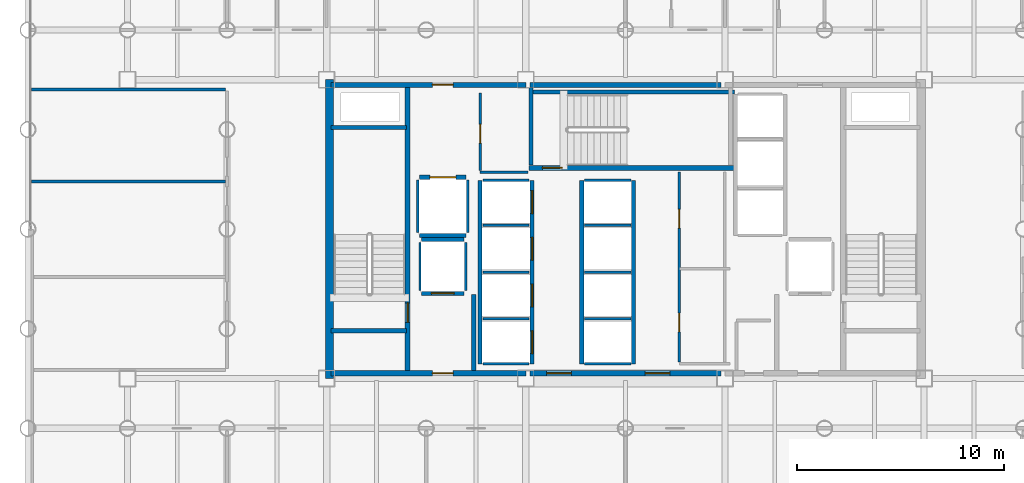
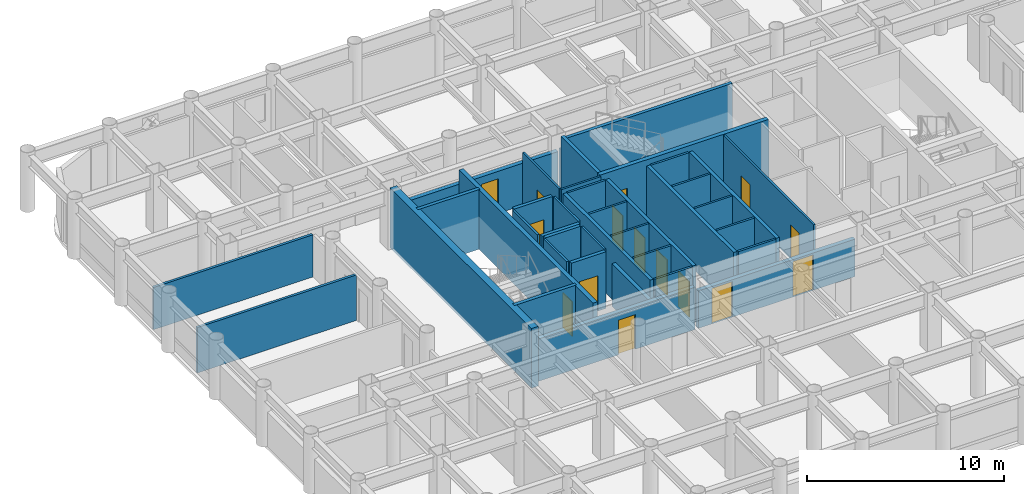
# One storey, part 15 of 19: 39 walls, 15 doors, 15 openings.
"""IFC4 building model written with IfcOpenShell, lengths in metres."""

import ifcopenshell
import ifcopenshell.guid

model = None  # the IFC model being written
_history = None  # IfcOwnerHistory: only IFC2X3 demands one
_inside = {}  # id of a spatial element -> (the spatial element, [elements in it])
_under = {}  # id of a project, library or spatial element -> (it, [spatial elements below it])
_declared = {}  # id of a project -> (the project, [libraries it declares])
_typed = {}  # id of a type object -> (the type object, [elements of that type])
_made_of = {}  # id of a material, layer set ... -> (it, [elements and type objects made of it])


def new_model(schema):
    """Start an empty IFC model of exactly this schema.

    Asked for "IFC4X3", IfcOpenShell would pick the latest addendum, in which some entities
    have other attributes; the version numbers below select the first issue.
    IFC2X3 requires an IfcOwnerHistory on every rooted entity: one is made here for all.
    """
    global model, _history
    if schema == "IFC4X3":
        model = ifcopenshell.file(schema_version=(4, 3, 0, 0))
    else:
        model = ifcopenshell.file(schema=schema)
    _inside.clear()
    _under.clear()
    _declared.clear()
    _typed.clear()
    _made_of.clear()
    _history = None
    if model.schema == "IFC2X3":
        org = make("IfcOrganization", Name="unknown")
        user = make(
            "IfcPersonAndOrganization",
            ThePerson=make("IfcPerson", FamilyName="unknown"),
            TheOrganization=org,
        )
        app = make(
            "IfcApplication",
            ApplicationDeveloper=org,
            Version="unknown",
            ApplicationFullName="unknown",
            ApplicationIdentifier="unknown",
        )
        _history = make(
            "IfcOwnerHistory",
            OwningUser=user,
            OwningApplication=app,
            ChangeAction="ADDED",
            CreationDate=0,
        )
    return model


def make(cls, **values):
    """One entity of the class cls with the attributes given. An attribute that is None is left unset."""
    return model.create_entity(
        cls, **{name: value for name, value in values.items() if value is not None}
    )


def rooted(cls, **values):
    """An entity with a GlobalId (a new one), such as an element, a storey or a relation."""
    return make(cls, GlobalId=ifcopenshell.guid.new(), OwnerHistory=_history, **values)


def si_unit(unit_type, name, prefix=None):
    """IfcSIUnit, for example si_unit("LENGTHUNIT", "METRE", prefix="MILLI")."""
    return make("IfcSIUnit", UnitType=unit_type, Prefix=prefix, Name=name)


def assignment(units):
    """IfcUnitAssignment: the units of a project."""
    return None if units is None else make("IfcUnitAssignment", Units=units)


def point(xyz):
    """IfcCartesianPoint."""
    return None if xyz is None else make("IfcCartesianPoint", Coordinates=xyz)


def direction(xyz):
    """IfcDirection."""
    return None if xyz is None else make("IfcDirection", DirectionRatios=xyz)


def frame(location, z_axis=None, x_axis=None):
    """IfcAxis2Placement3D, a coordinate frame: its origin and axes. An axis left out is left unset."""
    return make(
        "IfcAxis2Placement3D",
        Location=point(location),
        Axis=direction(z_axis),
        RefDirection=direction(x_axis),
    )


def frame_2d(location, x_axis=None):
    """IfcAxis2Placement2D, a coordinate frame in the plane: its origin and x axis."""
    return make(
        "IfcAxis2Placement2D", Location=point(location), RefDirection=direction(x_axis)
    )


def origin():
    """The frame at (0, 0, 0) with its axes left unset."""
    return frame((0.0, 0.0, 0.0))


def place(relative_to, where):
    """IfcLocalPlacement: puts the frame where relative to a parent placement (None: the world)."""
    return make(
        "IfcLocalPlacement", PlacementRelTo=relative_to, RelativePlacement=where
    )


def context(
    kind, dimensions, precision=None, world=None, true_north=None, identifier=None
):
    """IfcGeometricRepresentationContext, for example the 3D "Model" context."""
    return make(
        "IfcGeometricRepresentationContext",
        ContextIdentifier=identifier,
        ContextType=kind,
        CoordinateSpaceDimension=dimensions,
        Precision=precision,
        WorldCoordinateSystem=world,
        TrueNorth=true_north,
    )


def subcontext(parent, identifier, kind, view, scale=None):
    """IfcGeometricRepresentationSubContext, for example "Body" below "Model"."""
    return make(
        "IfcGeometricRepresentationSubContext",
        ContextIdentifier=identifier,
        ContextType=kind,
        ParentContext=parent,
        TargetScale=scale,
        TargetView=view,
    )


def project(units=None, contexts=None):
    """IfcProject with its units and contexts."""
    return rooted(
        "IfcProject",
        Name="project",
        RepresentationContexts=contexts,
        UnitsInContext=assignment(units),
    )


def spatial(cls, under=None, at=None, **own):
    """A site, building, storey or space (cls), placed at a placement, below another one or the project."""
    s = rooted(cls, ObjectPlacement=at, **own)
    if under is not None:
        _under.setdefault(under.id(), (under, []))[1].append(s)
    return s


def profile(cls, at=None, kind="AREA", **sizes):
    """A parametric profile (cls). Its sizes go by their IFC names, for example OverallWidth=200.0."""
    return make(cls, ProfileType=kind, Position=at, **sizes)


def rectangle(**sizes):
    """IfcRectangleProfileDef."""
    return profile("IfcRectangleProfileDef", **sizes)


def extrude(swept, where, along, depth):
    """IfcExtrudedAreaSolid: the profile swept, set in the frame where, extruded along a direction by depth."""
    return make(
        "IfcExtrudedAreaSolid",
        SweptArea=swept,
        Position=where,
        ExtrudedDirection=direction(along),
        Depth=depth,
    )


def shape(context_of_items, identifier, shape_type, items):
    """IfcShapeRepresentation: the items that make up one representation, for example the "Body"."""
    return make(
        "IfcShapeRepresentation",
        ContextOfItems=context_of_items,
        RepresentationIdentifier=identifier,
        RepresentationType=shape_type,
        Items=items,
    )


def material(Name=None, Category=None):
    """IfcMaterial."""
    return make("IfcMaterial", Name=Name, Category=Category)


def layer(
    of_material, thickness, ventilated=None, Name=None, Category=None, Priority=None
):
    """IfcMaterialLayer: one layer of a wall or slab, of a material (None: an air gap)."""
    return make(
        "IfcMaterialLayer",
        Material=of_material,
        LayerThickness=thickness,
        IsVentilated=ventilated,
        Name=Name,
        Category=Category,
        Priority=Priority,
    )


def layer_set(layers, Name=None):
    """IfcMaterialLayerSet."""
    return make("IfcMaterialLayerSet", MaterialLayers=layers, LayerSetName=Name)


def made_of(thing, what):
    """Note that an element or type object is made of a material, layer set ...; save() writes the relation."""
    if what is not None:
        _made_of.setdefault(what.id(), (what, []))[1].append(thing)
    return thing


def type_object(cls, material=None, **own):
    """A type object (cls), such as IfcWallType, which elements share."""
    return made_of(rooted(cls, **own), material)


def element(
    cls,
    number,
    at=None,
    inside=None,
    cuts=None,
    type_object=None,
    material=None,
    context=None,
    identifier="Body",
    shape_type=None,
    held_by="IfcProductDefinitionShape",
    body=None,
    shapes=None,
    **own,
):
    """One element of the class cls, such as IfcWall. Its Tag is "e" and its number.

    at: its placement. inside: the storey or other place that contains it. cuts: it is an
    opening in that element (IfcRelVoidsElement). A single representation is given by context,
    identifier, shape_type and body (its items); several are given by shapes. held_by: the class
    of the entity that holds the representations. save() writes the other relations.
    """
    e = rooted(cls, Tag="e%d" % number, ObjectPlacement=at, **own)
    if body is not None:
        shapes = [shape(context, identifier, shape_type, body)]
    if shapes is not None:
        e.Representation = make(held_by, Representations=shapes)
    if inside is not None:
        _inside.setdefault(inside.id(), (inside, []))[1].append(e)
    if cuts is not None:
        rooted(
            "IfcRelVoidsElement", RelatingBuildingElement=cuts, RelatedOpeningElement=e
        )
    if type_object is not None:
        _typed.setdefault(type_object.id(), (type_object, []))[1].append(e)
    return made_of(e, material)


def fill(opening, filler):
    """IfcRelFillsElement: the door or window that sits in an opening."""
    return rooted(
        "IfcRelFillsElement",
        RelatingOpeningElement=opening,
        RelatedBuildingElement=filler,
    )


def aggregate(whole, parts):
    """IfcRelAggregates: a whole, such as a stair, and the parts it consists of."""
    return rooted("IfcRelAggregates", RelatingObject=whole, RelatedObjects=parts)


def save(model, path):
    """Write the relations noted so far, then the file.

    IfcRelAggregates (storeys below a building ...), IfcRelContainedInSpatialStructure (elements
    in a storey), IfcRelDefinesByType, IfcRelAssociatesMaterial and IfcRelDeclares: one each for
    every whole, place, type object, material and project.
    """
    for whole, parts in _under.values():
        aggregate(whole, parts)
    for where, things in _inside.values():
        rooted(
            "IfcRelContainedInSpatialStructure",
            RelatedElements=things,
            RelatingStructure=where,
        )
    for kind, things in _typed.values():
        rooted("IfcRelDefinesByType", RelatedObjects=things, RelatingType=kind)
    for what, things in _made_of.values():
        rooted("IfcRelAssociatesMaterial", RelatedObjects=things, RelatingMaterial=what)
    for by, libraries in _declared.values():
        rooted("IfcRelDeclares", RelatingContext=by, RelatedDefinitions=libraries)
    model.write(path)


model = new_model("IFC4")

# Units and contexts
model_context = context("Model", 3, precision=1e-05, world=origin(), true_north=direction((0.0, 1.0)))
body_context = subcontext(model_context, "Body", "Model", "MODEL_VIEW")
ifc_project = project(units=[si_unit("LENGTHUNIT", "METRE"), si_unit("AREAUNIT", "SQUARE_METRE"), si_unit("VOLUMEUNIT", "CUBIC_METRE"), si_unit("PLANEANGLEUNIT", "RADIAN"), si_unit("MASSUNIT", "GRAM", prefix="KILO")], contexts=[model_context])

# Site, building, storey
site_placement = place(None, origin())
site = spatial("IfcSite", under=ifc_project, at=site_placement, CompositionType="ELEMENT")
building_placement = place(site_placement, origin())
building = spatial("IfcBuilding", under=site, at=building_placement, Name="Kallvorn Hotel Tower", CompositionType="ELEMENT")
storey_placement = place(building_placement, frame((0.0, 0.0, 67.0)))
storey = spatial("IfcBuildingStorey", under=building, at=storey_placement, Name="L15", CompositionType="ELEMENT", Elevation=67.0)

# Walls
ifc_material_1 = material(Name="Concrete C50/60", Category="concrete")
ifc_layer_1 = layer(ifc_material_1, 0.39990234375)
ifc_layer_set_1 = layer_set([ifc_layer_1], Name="WL_CORE_400")
wall_type_1 = type_object("IfcWallType", Name="WL_CORE_400", PredefinedType="SHEAR", material=ifc_layer_set_1)
wall_1_placement = place(storey_placement, frame((-14.264892578125, -7.199951171875, -0.179931640625), z_axis=(0.0, 0.0, 1.0), x_axis=(0.0, 1.0, 0.0)))
element("IfcWall", 1, at=wall_1_placement, inside=storey, type_object=wall_type_1, Name="L15 Core West Shear Wall", PredefinedType="SHEAR", context=body_context, shape_type="SweptSolid", body=[
    extrude(rectangle(XDim=14.39990234375, YDim=0.39990234375, at=frame_2d((7.199951171875, 0.0))), origin(), (0.0, 0.0, 1.0), 3.699951171875),
])
ifc_material_2 = material(Name="Concrete C40/50", Category="concrete")
ifc_layer_2 = layer(ifc_material_2, 0.219970703125)
ifc_layer_set_2 = layer_set([ifc_layer_2], Name="WL_FFL_220")
wall_type_2 = type_object("IfcWallType", Name="WL_FFL_220", PredefinedType="SOLIDWALL", material=ifc_layer_set_2)
wall_2_placement = place(storey_placement, frame((-7.300048828125, -6.820068359375, 0.0), z_axis=(0.0, 0.0, 1.0), x_axis=(0.0, 1.0, 0.0)))
element("IfcWall", 2, at=wall_2_placement, inside=storey, type_object=wall_type_2, Name="L15 Firefighting Lobby West Divider Wall", PredefinedType="SOLIDWALL", context=body_context, shape_type="SweptSolid", body=[
    extrude(rectangle(XDim=3.670166015625, YDim=0.219970703125, at=frame_2d((1.8349609375, 0.0))), origin(), (0.0, 0.0, 1.0), 2.6201171875),
])
ifc_material_3 = material(Name="Concrete C40/50", Category="concrete")
ifc_layer_3 = layer(ifc_material_3, 0.199951171875)
ifc_layer_set_3 = layer_set([ifc_layer_3], Name="WL_HOIST_200")
wall_type_3 = type_object("IfcWallType", Name="WL_HOIST_200", PredefinedType="SOLIDWALL", material=ifc_layer_set_3)
for number, where, z_axis, x_axis, name in (
    (3, (-14.199951171875, -4.89990234375, -0.179931640625), (0.0, 0.0, 1.0), (1.0, 0.0, 0.0), "L15 Stair ST1 South Wall"),
    (4, (-14.199951171875, 4.89990234375, -0.179931640625), (0.0, 0.0, 1.0), (1.0, 0.0, 0.0), "L15 Stair ST1 North Wall"),
):
    element("IfcWall", number, at=place(storey_placement, frame(where, z_axis=z_axis, x_axis=x_axis)), inside=storey, type_object=wall_type_3, Name=name, PredefinedType="SOLIDWALL", context=body_context, shape_type="SweptSolid", body=[
        extrude(rectangle(XDim=3.64990234375, YDim=0.199951171875, at=frame_2d((1.824951171875, 0.0))), origin(), (0.0, 0.0, 1.0), 3.699951171875),
    ])
wall_3_placement = place(storey_placement, frame((-4.64990234375, 6.610107421875, -0.179931640625), z_axis=(0.0, 0.0, 1.0), x_axis=(1.0, 0.0, 0.0)))
element("IfcWall", 5, at=wall_3_placement, inside=storey, type_object=wall_type_3, Name="L15 Stair ST3 Shaft North Wall", PredefinedType="SOLIDWALL", context=body_context, shape_type="SweptSolid", body=[
    extrude(rectangle(XDim=9.89990234375, YDim=0.199951171875, at=frame_2d((4.949951171875, 0.0))), origin(), (0.0, 0.0, 1.0), 3.699951171875),
])
wall_4_placement = place(storey_placement, frame((-4.550048828125, 3.080078125, -0.179931640625), z_axis=(0.0, 0.0, 1.0), x_axis=(0.0, 1.0, 0.0)))
element("IfcWall", 6, at=wall_4_placement, inside=storey, type_object=wall_type_3, Name="L15 Stair ST3 West Wall", PredefinedType="SOLIDWALL", context=body_context, shape_type="SweptSolid", body=[
    extrude(rectangle(XDim=3.739990234375, YDim=0.199951171875, at=frame_2d((1.8701171875, 0.0))), origin(), (0.0, 0.0, 1.0), 3.699951171875),
])

# Wall, openings, doors
wall_5_placement = place(storey_placement, frame((-4.5, -6.5, 0.0), z_axis=(0.0, 0.0, 1.0), x_axis=(0.0, 1.0, 0.0)))
wall_5 = element("IfcWall", 7, at=wall_5_placement, inside=storey, type_object=wall_type_3, Name="L15 Lift Bank B1 Landing Wall", PredefinedType="SOLIDWALL", context=body_context, shape_type="SweptSolid", body=[
    extrude(rectangle(XDim=8.85009765625, YDim=0.199951171875, at=frame_2d((4.425048828125, 0.0))), origin(), (0.0, 0.0, 1.0), 3.52001953125),
])
opening_1_placement = place(wall_5_placement, frame((0.5, 0.0, 0.0)))
opening_1 = element("IfcOpeningElement", 8, at=opening_1_placement, cuts=wall_5, Name="Opening LD-PL-01", PredefinedType="OPENING", context=body_context, shape_type="SweptSolid", body=[
    extrude(rectangle(XDim=1.10009765625, YDim=2.199951171875, at=frame_2d((0.550048828125, 1.10009765625))), frame((0.0, 0.114990234375, 0.0), z_axis=(0.0, -1.0, 0.0), x_axis=(1.0, 0.0, 0.0)), (0.0, 0.0, 1.0), 0.22998046875),
])
opening_2_placement = place(wall_5_placement, frame((2.75, 0.0, 0.0)))
opening_2 = element("IfcOpeningElement", 9, at=opening_2_placement, cuts=wall_5, Name="Opening LD-PL-02", PredefinedType="OPENING", context=body_context, shape_type="SweptSolid", body=[
    extrude(rectangle(XDim=1.10009765625, YDim=2.199951171875, at=frame_2d((0.550048828125, 1.10009765625))), frame((0.0, 0.114990234375, 0.0), z_axis=(0.0, -1.0, 0.0), x_axis=(1.0, 0.0, 0.0)), (0.0, 0.0, 1.0), 0.22998046875),
])
opening_3_placement = place(wall_5_placement, frame((5.0, 0.0, 0.0)))
opening_3 = element("IfcOpeningElement", 10, at=opening_3_placement, cuts=wall_5, Name="Opening LD-PL-03", PredefinedType="OPENING", context=body_context, shape_type="SweptSolid", body=[
    extrude(rectangle(XDim=1.10009765625, YDim=2.199951171875, at=frame_2d((0.550048828125, 1.10009765625))), frame((0.0, 0.114990234375, 0.0), z_axis=(0.0, -1.0, 0.0), x_axis=(1.0, 0.0, 0.0)), (0.0, 0.0, 1.0), 0.22998046875),
])
opening_4_placement = place(wall_5_placement, frame((7.25, 0.0, 0.0)))
opening_4 = element("IfcOpeningElement", 11, at=opening_4_placement, cuts=wall_5, Name="Opening LD-PL-04", PredefinedType="OPENING", context=body_context, shape_type="SweptSolid", body=[
    extrude(rectangle(XDim=1.10009765625, YDim=2.199951171875, at=frame_2d((0.550048828125, 1.10009765625))), frame((0.0, 0.114990234375, 0.0), z_axis=(0.0, -1.0, 0.0), x_axis=(1.0, 0.0, 0.0)), (0.0, 0.0, 1.0), 0.22998046875),
])
ifc_material_4 = material(Name="Brushed stainless-steel automatic sliding lift landing door", Category="steel")
door_type_1 = type_object("IfcDoorType", Name="LD_PASS_1100x2200", OperationType="SLIDING_TO_LEFT", PredefinedType="DOOR", material=ifc_material_4)
door_1_placement = place(opening_1_placement, origin())
door_1 = element("IfcDoor", 12, at=door_1_placement, inside=storey, type_object=door_type_1, Name="L15 Lift Landing Sliding Door LD-PL-01", OperationType="SLIDING_TO_LEFT", OverallHeight=2.199951171875, OverallWidth=1.10009765625, PredefinedType="DOOR", context=body_context, shape_type="SweptSolid", body=[
    extrude(rectangle(XDim=1.10009765625, YDim=2.199951171875, at=frame_2d((0.550048828125, 1.10009765625))), frame((0.0, 0.02490234375, 0.0), z_axis=(0.0, -1.0, 0.0), x_axis=(1.0, 0.0, 0.0)), (0.0, 0.0, 1.0), 0.050048828125),
])
fill(opening_1, door_1)
door_2_placement = place(opening_2_placement, origin())
door_2 = element("IfcDoor", 13, at=door_2_placement, inside=storey, type_object=door_type_1, Name="L15 Lift Landing Sliding Door LD-PL-02", OperationType="SLIDING_TO_LEFT", OverallHeight=2.199951171875, OverallWidth=1.10009765625, PredefinedType="DOOR", context=body_context, shape_type="SweptSolid", body=[
    extrude(rectangle(XDim=1.10009765625, YDim=2.199951171875, at=frame_2d((0.550048828125, 1.10009765625))), frame((0.0, 0.02490234375, 0.0), z_axis=(0.0, -1.0, 0.0), x_axis=(1.0, 0.0, 0.0)), (0.0, 0.0, 1.0), 0.050048828125),
])
fill(opening_2, door_2)
door_3_placement = place(opening_3_placement, origin())
door_3 = element("IfcDoor", 14, at=door_3_placement, inside=storey, type_object=door_type_1, Name="L15 Lift Landing Sliding Door LD-PL-03", OperationType="SLIDING_TO_LEFT", OverallHeight=2.199951171875, OverallWidth=1.10009765625, PredefinedType="DOOR", context=body_context, shape_type="SweptSolid", body=[
    extrude(rectangle(XDim=1.10009765625, YDim=2.199951171875, at=frame_2d((0.550048828125, 1.10009765625))), frame((0.0, 0.02490234375, 0.0), z_axis=(0.0, -1.0, 0.0), x_axis=(1.0, 0.0, 0.0)), (0.0, 0.0, 1.0), 0.050048828125),
])
fill(opening_3, door_3)
door_4_placement = place(opening_4_placement, origin())
door_4 = element("IfcDoor", 15, at=door_4_placement, inside=storey, type_object=door_type_1, Name="L15 Lift Landing Sliding Door LD-PL-04", OperationType="SLIDING_TO_LEFT", OverallHeight=2.199951171875, OverallWidth=1.10009765625, PredefinedType="DOOR", context=body_context, shape_type="SweptSolid", body=[
    extrude(rectangle(XDim=1.10009765625, YDim=2.199951171875, at=frame_2d((0.550048828125, 1.10009765625))), frame((0.0, 0.02490234375, 0.0), z_axis=(0.0, -1.0, 0.0), x_axis=(1.0, 0.0, 0.0)), (0.0, 0.0, 1.0), 0.050048828125),
])
fill(opening_4, door_4)

# Walls
for number, where, z_axis, x_axis, name in (
    (16, (-7.0, -6.5, 0.0), (0.0, 0.0, 1.0), (0.0, 1.0, 0.0), "L15 Lift Bank B1 Rear Shaft Wall"),
    (17, (-2.10009765625, -6.5, 0.0), (0.0, 0.0, 1.0), (0.0, 1.0, 0.0), "L15 Lift Bank B2 Landing Wall"),
    (18, (0.39990234375, -6.5, 0.0), (0.0, 0.0, 1.0), (0.0, 1.0, 0.0), "L15 Lift Bank B2 Rear Shaft Wall"),
):
    element("IfcWall", number, at=place(storey_placement, frame(where, z_axis=z_axis, x_axis=x_axis)), inside=storey, type_object=wall_type_3, Name=name, PredefinedType="SOLIDWALL", context=body_context, shape_type="SweptSolid", body=[
        extrude(rectangle(XDim=8.85009765625, YDim=0.199951171875, at=frame_2d((4.425048828125, 0.0))), origin(), (0.0, 0.0, 1.0), 3.52001953125),
    ])

# Wall, opening, door
wall_6_placement = place(storey_placement, frame((-9.820068359375, -3.10009765625, 0.0), z_axis=(0.0, 0.0, 1.0), x_axis=(1.0, 0.0, 0.0)))
wall_6 = element("IfcWall", 19, at=wall_6_placement, inside=storey, type_object=wall_type_3, Name="L15 FL-1 Landing Wall", PredefinedType="SOLIDWALL", context=body_context, shape_type="SweptSolid", body=[
    extrude(rectangle(XDim=2.0400390625, YDim=0.199951171875, at=frame_2d((1.02001953125, 0.0))), origin(), (0.0, 0.0, 1.0), 3.52001953125),
])
opening_5_placement = place(wall_6_placement, frame((0.469970703125, 0.0, 0.0)))
opening_5 = element("IfcOpeningElement", 20, at=opening_5_placement, cuts=wall_6, Name="Opening LD-FL-1", PredefinedType="OPENING", context=body_context, shape_type="SweptSolid", body=[
    extrude(rectangle(XDim=1.10009765625, YDim=2.199951171875, at=frame_2d((0.550048828125, 1.10009765625))), frame((0.0, 0.114990234375, 0.0), z_axis=(0.0, -1.0, 0.0), x_axis=(1.0, 0.0, 0.0)), (0.0, 0.0, 1.0), 0.22998046875),
])
door_5_placement = place(opening_5_placement, origin())
door_5 = element("IfcDoor", 21, at=door_5_placement, inside=storey, type_object=door_type_1, Name="L15 Lift Landing Sliding Door LD-FL-1", OperationType="SLIDING_TO_LEFT", OverallHeight=2.199951171875, OverallWidth=1.10009765625, PredefinedType="DOOR", context=body_context, shape_type="SweptSolid", body=[
    extrude(rectangle(XDim=1.10009765625, YDim=2.199951171875, at=frame_2d((0.550048828125, 1.10009765625))), frame((0.0, 0.02490234375, 0.0), z_axis=(0.0, -1.0, 0.0), x_axis=(1.0, 0.0, 0.0)), (0.0, 0.0, 1.0), 0.050048828125),
])
fill(opening_5, door_5)

# Wall
wall_7_placement = place(storey_placement, frame((-9.820068359375, -0.5, 0.0), z_axis=(0.0, 0.0, 1.0), x_axis=(1.0, 0.0, 0.0)))
element("IfcWall", 22, at=wall_7_placement, inside=storey, type_object=wall_type_3, Name="L15 FL-1 Rear Shaft Wall", PredefinedType="SOLIDWALL", context=body_context, shape_type="SweptSolid", body=[
    extrude(rectangle(XDim=2.0400390625, YDim=0.199951171875, at=frame_2d((1.02001953125, 0.0))), origin(), (0.0, 0.0, 1.0), 3.52001953125),
])

# Wall, opening, door
wall_8_placement = place(storey_placement, frame((-9.919921875, 2.5, 0.0), z_axis=(0.0, 0.0, 1.0), x_axis=(1.0, 0.0, 0.0)))
wall_8 = element("IfcWall", 23, at=wall_8_placement, inside=storey, type_object=wall_type_3, Name="L15 SV-01 Landing Wall", PredefinedType="SOLIDWALL", context=body_context, shape_type="SweptSolid", body=[
    extrude(rectangle(XDim=2.239990234375, YDim=0.199951171875, at=frame_2d((1.1201171875, 0.0))), origin(), (0.0, 0.0, 1.0), 3.52001953125),
])
opening_6_placement = place(wall_8_placement, frame((0.4951171875, 0.0, 0.0)))
opening_6 = element("IfcOpeningElement", 24, at=opening_6_placement, cuts=wall_8, Name="Opening LD-SV-01", PredefinedType="OPENING", context=body_context, shape_type="SweptSolid", body=[
    extrude(rectangle(XDim=1.25, YDim=2.25, at=frame_2d((0.625, 1.125))), frame((0.0, 0.114990234375, 0.0), z_axis=(0.0, -1.0, 0.0), x_axis=(1.0, 0.0, 0.0)), (0.0, 0.0, 1.0), 0.22998046875),
])
ifc_material_5 = material(Name="Brushed stainless-steel automatic sliding lift landing door", Category="steel")
door_type_2 = type_object("IfcDoorType", Name="LD_SERV_1250x2250", OperationType="SLIDING_TO_LEFT", PredefinedType="DOOR", material=ifc_material_5)
door_6_placement = place(opening_6_placement, origin())
door_6 = element("IfcDoor", 25, at=door_6_placement, inside=storey, type_object=door_type_2, Name="L15 Lift Landing Sliding Door LD-SV-01", OperationType="SLIDING_TO_LEFT", OverallHeight=2.25, OverallWidth=1.25, PredefinedType="DOOR", context=body_context, shape_type="SweptSolid", body=[
    extrude(rectangle(XDim=1.25, YDim=2.25, at=frame_2d((0.625, 1.125))), frame((0.0, 0.02490234375, 0.0), z_axis=(0.0, -1.0, 0.0), x_axis=(1.0, 0.0, 0.0)), (0.0, 0.0, 1.0), 0.050048828125),
])
fill(opening_6, door_6)

# Walls
wall_9_placement = place(storey_placement, frame((-9.919921875, -0.300048828125, 0.0), z_axis=(0.0, 0.0, 1.0), x_axis=(1.0, 0.0, 0.0)))
element("IfcWall", 26, at=wall_9_placement, inside=storey, type_object=wall_type_3, Name="L15 SV-01 Rear Shaft Wall", PredefinedType="SOLIDWALL", context=body_context, shape_type="SweptSolid", body=[
    extrude(rectangle(XDim=2.239990234375, YDim=0.199951171875, at=frame_2d((1.1201171875, 0.0))), origin(), (0.0, 0.0, 1.0), 3.52001953125),
])
ifc_material_6 = material(Name="Fire-rated double-layer acoustic gypsum drywall EI 60")
ifc_layer_4 = layer(ifc_material_6, 0.1201171875)
ifc_layer_set_4 = layer_set([ifc_layer_4], Name="WL_INT_120")
wall_type_4 = type_object("IfcWallType", Name="WL_INT_120", PredefinedType="PARTITIONING", material=ifc_layer_set_4)
for number, where, z_axis, x_axis, name in (
    (27, (-6.860107421875, -6.5, 0.0), (0.0, 0.0, 1.0), (1.0, 0.0, 0.0), "L15 Lift Bank B1 South Closure Wall"),
    (28, (-6.860107421875, -4.324951171875, 0.0), (0.0, 0.0, 1.0), (1.0, 0.0, 0.0), "L15 PL-01 Hoistway Divider"),
    (29, (-6.860107421875, -2.074951171875, 0.0), (0.0, 0.0, 1.0), (1.0, 0.0, 0.0), "L15 PL-02 Hoistway Divider"),
    (30, (-6.860107421875, 0.175048828125, 0.0), (0.0, 0.0, 1.0), (1.0, 0.0, 0.0), "L15 PL-03 Hoistway Divider"),
    (31, (-6.860107421875, 2.35009765625, 0.0), (0.0, 0.0, 1.0), (1.0, 0.0, 0.0), "L15 PL-04 Hoistway Divider"),
):
    element("IfcWall", number, at=place(storey_placement, frame(where, z_axis=z_axis, x_axis=x_axis)), inside=storey, type_object=wall_type_4, Name=name, PredefinedType="PARTITIONING", context=body_context, shape_type="SweptSolid", body=[
        extrude(rectangle(XDim=2.22021484375, YDim=0.1201171875, at=frame_2d((1.110107421875, 0.0))), origin(), (0.0, 0.0, 1.0), 3.52001953125),
    ])
for number, where, z_axis, x_axis, name in (
    (32, (-1.9599609375, -6.5, 0.0), (0.0, 0.0, 1.0), (1.0, 0.0, 0.0), "L15 Lift Bank B2 South Closure Wall"),
    (33, (-1.9599609375, -4.324951171875, 0.0), (0.0, 0.0, 1.0), (1.0, 0.0, 0.0), "L15 PL-05 Hoistway Divider"),
    (34, (-1.9599609375, -2.074951171875, 0.0), (0.0, 0.0, 1.0), (1.0, 0.0, 0.0), "L15 PL-06 Hoistway Divider"),
    (35, (-1.9599609375, 0.175048828125, 0.0), (0.0, 0.0, 1.0), (1.0, 0.0, 0.0), "L15 PL-07 Hoistway Divider"),
    (36, (-1.9599609375, 2.35009765625, 0.0), (0.0, 0.0, 1.0), (1.0, 0.0, 0.0), "L15 PL-08 Hoistway Divider"),
):
    element("IfcWall", number, at=place(storey_placement, frame(where, z_axis=z_axis, x_axis=x_axis)), inside=storey, type_object=wall_type_4, Name=name, PredefinedType="PARTITIONING", context=body_context, shape_type="SweptSolid", body=[
        extrude(rectangle(XDim=2.219970703125, YDim=0.1201171875, at=frame_2d((1.10986328125, 0.0))), origin(), (0.0, 0.0, 1.0), 3.52001953125),
    ])
for number, where, z_axis, x_axis, name in (
    (37, (-9.89990234375, -2.9599609375, 0.0), (0.0, 0.0, 1.0), (0.0, 1.0, 0.0), "L15 FL-1 West Shaft Wall"),
    (38, (-7.699951171875, -2.9599609375, 0.0), (0.0, 0.0, 1.0), (0.0, 1.0, 0.0), "L15 FL-1 East Shaft Wall"),
):
    element("IfcWall", number, at=place(storey_placement, frame(where, z_axis=z_axis, x_axis=x_axis)), inside=storey, type_object=wall_type_4, Name=name, PredefinedType="PARTITIONING", context=body_context, shape_type="SweptSolid", body=[
        extrude(rectangle(XDim=2.320068359375, YDim=0.1201171875, at=frame_2d((1.16015625, 0.0))), origin(), (0.0, 0.0, 1.0), 3.52001953125),
    ])
for number, where, z_axis, x_axis, name in (
    (39, (-10.0, -0.159912109375, 0.0), (0.0, 0.0, 1.0), (0.0, 1.0, 0.0), "L15 SV-01 West Shaft Wall"),
    (40, (-7.60009765625, -0.159912109375, 0.0), (0.0, 0.0, 1.0), (0.0, 1.0, 0.0), "L15 SV-01 East Shaft Wall"),
):
    element("IfcWall", number, at=place(storey_placement, frame(where, z_axis=z_axis, x_axis=x_axis)), inside=storey, type_object=wall_type_4, Name=name, PredefinedType="PARTITIONING", context=body_context, shape_type="SweptSolid", body=[
        extrude(rectangle(XDim=2.52001953125, YDim=0.1201171875, at=frame_2d((1.260009765625, 0.0))), origin(), (0.0, 0.0, 1.0), 3.52001953125),
    ])
wall_10_placement = place(storey_placement, frame((-7.0, 2.75, 0.0), z_axis=(0.0, 0.0, 1.0), x_axis=(1.0, 0.0, 0.0)))
element("IfcWall", 41, at=wall_10_placement, inside=storey, type_object=wall_type_4, Name="L15 Core Cleaners and Janitor Store Partition", PredefinedType="PARTITIONING", context=body_context, shape_type="SweptSolid", body=[
    extrude(rectangle(XDim=2.31005859375, YDim=0.1201171875, at=frame_2d((1.155029296875, 0.0))), origin(), (0.0, 0.0, 1.0), 3.52001953125),
])

# Wall, opening, door
wall_11_placement = place(storey_placement, frame((-7.0, 2.8349609375, 0.0), z_axis=(0.0, 0.0, 1.0), x_axis=(0.0, 1.0, 0.0)))
wall_11 = element("IfcWall", 42, at=wall_11_placement, inside=storey, type_object=wall_type_4, Name="L15 Core Cleaners and Janitor Store Partition", PredefinedType="PARTITIONING", context=body_context, shape_type="SweptSolid", body=[
    extrude(rectangle(XDim=3.715087890625, YDim=0.1201171875, at=frame_2d((1.857421875, 0.0))), origin(), (0.0, 0.0, 1.0), 3.52001953125),
])
opening_7_placement = place(wall_11_placement, frame((1.31494140625, 0.0, 0.0)))
opening_7 = element("IfcOpeningElement", 43, at=opening_7_placement, cuts=wall_11, Name="Opening SVD1", PredefinedType="OPENING", context=body_context, shape_type="SweptSolid", body=[
    extrude(rectangle(XDim=0.89990234375, YDim=2.10009765625, at=frame_2d((0.449951171875, 1.050048828125))), frame((0.0, 0.074951171875, 0.0), z_axis=(0.0, -1.0, 0.0), x_axis=(1.0, 0.0, 0.0)), (0.0, 0.0, 1.0), 0.150146484375),
])
ifc_material_7 = material(Name="Galvanised painted steel fire-rated door assembly", Category="steel")
door_type_3 = type_object("IfcDoorType", Name="DR_SERV_900x2100", OperationType="NOTDEFINED", PredefinedType="DOOR", material=ifc_material_7)
door_7_placement = place(opening_7_placement, origin())
door_7 = element("IfcDoor", 44, at=door_7_placement, inside=storey, type_object=door_type_3, Name="L15 Core Cleaners and Janitor Store Door", OperationType="SINGLE_SWING_LEFT", OverallHeight=2.10009765625, OverallWidth=0.89990234375, PredefinedType="DOOR", context=body_context, shape_type="SweptSolid", body=[
    extrude(rectangle(XDim=0.89990234375, YDim=2.10009765625, at=frame_2d((0.449951171875, 1.050048828125))), frame((0.0, 0.02490234375, 0.0), z_axis=(0.0, -1.0, 0.0), x_axis=(1.0, 0.0, 0.0)), (0.0, 0.0, 1.0), 0.050048828125),
])
fill(opening_7, door_7)

# Wall, openings, doors
wall_12_placement = place(storey_placement, frame((2.60009765625, -6.4150390625, 0.0), z_axis=(0.0, 0.0, 1.0), x_axis=(0.0, 1.0, 0.0)))
wall_12 = element("IfcWall", 45, at=wall_12_placement, inside=storey, type_object=wall_type_4, Name="L15 East Core Amenities and Minibar Store Partition", PredefinedType="PARTITIONING", context=body_context, shape_type="SweptSolid", body=[
    extrude(rectangle(XDim=9.1650390625, YDim=0.1201171875, at=frame_2d((4.58251953125, 0.0))), origin(), (0.0, 0.0, 1.0), 3.52001953125),
])
opening_8_placement = place(wall_12_placement, frame((1.465087890625, 0.0, 0.0)))
opening_8 = element("IfcOpeningElement", 46, at=opening_8_placement, cuts=wall_12, Name="Opening SVD1", PredefinedType="OPENING", context=body_context, shape_type="SweptSolid", body=[
    extrude(rectangle(XDim=0.89990234375, YDim=2.10009765625, at=frame_2d((0.449951171875, 1.050048828125))), frame((0.0, 0.074951171875, 0.0), z_axis=(0.0, -1.0, 0.0), x_axis=(1.0, 0.0, 0.0)), (0.0, 0.0, 1.0), 0.150146484375),
])
opening_9_placement = place(wall_12_placement, frame((6.465087890625, 0.0, 0.0)))
opening_9 = element("IfcOpeningElement", 47, at=opening_9_placement, cuts=wall_12, Name="Opening SVD1", PredefinedType="OPENING", context=body_context, shape_type="SweptSolid", body=[
    extrude(rectangle(XDim=0.89990234375, YDim=2.10009765625, at=frame_2d((0.449951171875, 1.050048828125))), frame((0.0, 0.074951171875, 0.0), z_axis=(0.0, -1.0, 0.0), x_axis=(1.0, 0.0, 0.0)), (0.0, 0.0, 1.0), 0.150146484375),
])
door_8_placement = place(opening_8_placement, origin())
door_8 = element("IfcDoor", 48, at=door_8_placement, inside=storey, type_object=door_type_3, Name="L15 East Core Amenities and Minibar Store Door", OperationType="SINGLE_SWING_LEFT", OverallHeight=2.10009765625, OverallWidth=0.89990234375, PredefinedType="DOOR", context=body_context, shape_type="SweptSolid", body=[
    extrude(rectangle(XDim=0.89990234375, YDim=2.10009765625, at=frame_2d((0.449951171875, 1.050048828125))), frame((0.0, 0.02490234375, 0.0), z_axis=(0.0, -1.0, 0.0), x_axis=(1.0, 0.0, 0.0)), (0.0, 0.0, 1.0), 0.050048828125),
])
fill(opening_8, door_8)
door_9_placement = place(opening_9_placement, origin())
door_9 = element("IfcDoor", 49, at=door_9_placement, inside=storey, type_object=door_type_3, Name="L15 East Core Cleaners and Janitor Room Door", OperationType="SINGLE_SWING_RIGHT", OverallHeight=2.10009765625, OverallWidth=0.89990234375, PredefinedType="DOOR", context=body_context, shape_type="SweptSolid", body=[
    extrude(rectangle(XDim=0.89990234375, YDim=2.10009765625, at=frame_2d((0.449951171875, 1.050048828125))), frame((0.0, 0.02490234375, 0.0), z_axis=(0.0, -1.0, 0.0), x_axis=(1.0, 0.0, 0.0)), (0.0, 0.0, 1.0), 0.050048828125),
])
fill(opening_9, door_9)

# Walls
ifc_material_8 = material(Name="Fire-rated double-layer acoustic gypsum drywall EI 60")
ifc_layer_5 = layer(ifc_material_8, 0.14990234375)
ifc_layer_set_5 = layer_set([ifc_layer_5], Name="WL_PART_150")
wall_type_5 = type_object("IfcWallType", Name="WL_PART_150", PredefinedType="PARTITIONING", material=ifc_layer_set_5)
wall_13_placement = place(storey_placement, frame((-28.6298828125, 2.300048828125, 0.0), z_axis=(0.0, 0.0, 1.0), x_axis=(1.0, 0.0, 0.0)))
element("IfcWall", 50, at=wall_13_placement, inside=storey, type_object=wall_type_5, Name="L15 L15 W Central Reading Gallery Partition", PredefinedType="PARTITIONING", context=body_context, shape_type="SweptSolid", body=[
    extrude(rectangle(XDim=9.349853515625, YDim=0.14990234375, at=frame_2d((4.6748046875, 0.0))), origin(), (0.0, 0.0, 1.0), 2.820068359375),
])
wall_14_placement = place(storey_placement, frame((-28.6298828125, 6.737548828125, 0.0), z_axis=(0.0, 0.0, 1.0), x_axis=(1.0, 0.0, 0.0)))
element("IfcWall", 51, at=wall_14_placement, inside=storey, type_object=wall_type_5, Name="L15 L15 W North Movement Gymnasium Partition", PredefinedType="PARTITIONING", context=body_context, shape_type="SweptSolid", body=[
    extrude(rectangle(XDim=9.349853515625, YDim=0.14990234375, at=frame_2d((4.6748046875, 0.0))), origin(), (0.0, 0.0, 1.0), 2.6201171875),
])

# Wall, opening, door
ifc_material_9 = material(Name="Concrete C40/50", Category="concrete")
ifc_layer_6 = layer(ifc_material_9, 0.25)
ifc_layer_set_6 = layer_set([ifc_layer_6], Name="WL_SHAFT_250")
wall_type_6 = type_object("IfcWallType", Name="WL_SHAFT_250", PredefinedType="SOLIDWALL", material=ifc_layer_set_6)
wall_15_placement = place(storey_placement, frame((-14.199951171875, -6.949951171875, 0.0), z_axis=(0.0, 0.0, 1.0), x_axis=(1.0, 0.0, 0.0)))
wall_15 = element("IfcWall", 52, at=wall_15_placement, inside=storey, type_object=wall_type_6, Name="L15 Core South-West Wall", PredefinedType="SOLIDWALL", context=body_context, shape_type="SweptSolid", body=[
    extrude(rectangle(XDim=9.39990234375, YDim=0.25, at=frame_2d((4.699951171875, 0.0))), origin(), (0.0, 0.0, 1.0), 2.6201171875),
])
opening_10_placement = place(wall_15_placement, frame((4.89990234375, 0.0, 0.0)))
opening_10 = element("IfcOpeningElement", 53, at=opening_10_placement, cuts=wall_15, Name="Opening FD1", PredefinedType="OPENING", context=body_context, shape_type="SweptSolid", body=[
    extrude(rectangle(XDim=1.0, YDim=2.14990234375, at=frame_2d((0.5, 1.074951171875))), frame((0.0, 0.139892578125, 0.0), z_axis=(0.0, -1.0, 0.0), x_axis=(1.0, 0.0, 0.0)), (0.0, 0.0, 1.0), 0.280029296875),
])
ifc_material_10 = material(Name="Galvanised painted steel fire-rated door assembly", Category="steel")
door_type_4 = type_object("IfcDoorType", Name="DR_FFL_1000x2150", OperationType="NOTDEFINED", PredefinedType="DOOR", material=ifc_material_10)
door_10_placement = place(opening_10_placement, origin())
door_10 = element("IfcDoor", 54, at=door_10_placement, inside=storey, type_object=door_type_4, Name="L15 Firefighting Lobby West Door", OperationType="SINGLE_SWING_RIGHT", OverallHeight=2.14990234375, OverallWidth=1.0, PredefinedType="DOOR", context=body_context, shape_type="SweptSolid", body=[
    extrude(rectangle(XDim=1.0, YDim=2.14990234375, at=frame_2d((0.5, 1.074951171875))), frame((0.0, 0.02490234375, 0.0), z_axis=(0.0, -1.0, 0.0), x_axis=(1.0, 0.0, 0.0)), (0.0, 0.0, 1.0), 0.050048828125),
])
fill(opening_10, door_10)

# Wall, openings, doors
wall_16_placement = place(storey_placement, frame((-4.60009765625, -6.949951171875, 0.0), z_axis=(0.0, 0.0, 1.0), x_axis=(1.0, 0.0, 0.0)))
wall_16 = element("IfcWall", 55, at=wall_16_placement, inside=storey, type_object=wall_type_6, Name="L15 Core South-Central Wall", PredefinedType="SOLIDWALL", context=body_context, shape_type="SweptSolid", body=[
    extrude(rectangle(XDim=9.2001953125, YDim=0.25, at=frame_2d((4.60009765625, 0.0))), origin(), (0.0, 0.0, 1.0), 2.320068359375),
])
opening_11_placement = place(wall_16_placement, frame((0.800048828125, 0.0, 0.0)))
opening_11 = element("IfcOpeningElement", 56, at=opening_11_placement, cuts=wall_16, Name="Opening FD2", PredefinedType="OPENING", context=body_context, shape_type="SweptSolid", body=[
    extrude(rectangle(XDim=1.199951171875, YDim=2.199951171875, at=frame_2d((0.60009765625, 1.10009765625))), frame((0.0, 0.139892578125, 0.0), z_axis=(0.0, -1.0, 0.0), x_axis=(1.0, 0.0, 0.0)), (0.0, 0.0, 1.0), 0.280029296875),
])
opening_12_placement = place(wall_16_placement, frame((5.550048828125, 0.0, 0.0)))
opening_12 = element("IfcOpeningElement", 57, at=opening_12_placement, cuts=wall_16, Name="Opening FD2", PredefinedType="OPENING", context=body_context, shape_type="SweptSolid", body=[
    extrude(rectangle(XDim=1.199951171875, YDim=2.199951171875, at=frame_2d((0.60009765625, 1.10009765625))), frame((0.0, 0.139892578125, 0.0), z_axis=(0.0, -1.0, 0.0), x_axis=(1.0, 0.0, 0.0)), (0.0, 0.0, 1.0), 0.280029296875),
])
ifc_material_11 = material(Name="Galvanised painted steel fire-rated door assembly", Category="steel")
door_type_5 = type_object("IfcDoorType", Name="DR_LOBBY_1200x2200", OperationType="DOUBLE_DOOR_SINGLE_SWING", PredefinedType="DOOR", material=ifc_material_11)
door_11_placement = place(opening_11_placement, origin())
door_11 = element("IfcDoor", 58, at=door_11_placement, inside=storey, type_object=door_type_5, Name="L15 West Passenger Lift Lobby Door", OperationType="DOUBLE_DOOR_SINGLE_SWING", OverallHeight=2.199951171875, OverallWidth=1.199951171875, PredefinedType="DOOR", context=body_context, shape_type="SweptSolid", body=[
    extrude(rectangle(XDim=1.199951171875, YDim=2.199951171875, at=frame_2d((0.60009765625, 1.10009765625))), frame((0.0, 0.02490234375, 0.0), z_axis=(0.0, -1.0, 0.0), x_axis=(1.0, 0.0, 0.0)), (0.0, 0.0, 1.0), 0.050048828125),
])
fill(opening_11, door_11)
door_12_placement = place(opening_12_placement, origin())
door_12 = element("IfcDoor", 59, at=door_12_placement, inside=storey, type_object=door_type_5, Name="L15 East Passenger Lift Lobby Door", OperationType="DOUBLE_DOOR_SINGLE_SWING", OverallHeight=2.199951171875, OverallWidth=1.199951171875, PredefinedType="DOOR", context=body_context, shape_type="SweptSolid", body=[
    extrude(rectangle(XDim=1.199951171875, YDim=2.199951171875, at=frame_2d((0.60009765625, 1.10009765625))), frame((0.0, 0.02490234375, 0.0), z_axis=(0.0, -1.0, 0.0), x_axis=(1.0, 0.0, 0.0)), (0.0, 0.0, 1.0), 0.050048828125),
])
fill(opening_12, door_12)

# Wall, opening, door
wall_17_placement = place(storey_placement, frame((-14.199951171875, 6.949951171875, 0.0), z_axis=(0.0, 0.0, 1.0), x_axis=(1.0, 0.0, 0.0)))
wall_17 = element("IfcWall", 60, at=wall_17_placement, inside=storey, type_object=wall_type_6, Name="L15 Core North-West Wall", PredefinedType="SOLIDWALL", context=body_context, shape_type="SweptSolid", body=[
    extrude(rectangle(XDim=9.39990234375, YDim=0.25, at=frame_2d((4.699951171875, 0.0))), origin(), (0.0, 0.0, 1.0), 2.6201171875),
])
opening_13_placement = place(wall_17_placement, frame((4.89990234375, 0.0, 0.0)))
opening_13 = element("IfcOpeningElement", 61, at=opening_13_placement, cuts=wall_17, Name="Opening FD1", PredefinedType="OPENING", context=body_context, shape_type="SweptSolid", body=[
    extrude(rectangle(XDim=1.0, YDim=2.14990234375, at=frame_2d((0.5, 1.074951171875))), frame((0.0, 0.139892578125, 0.0), z_axis=(0.0, -1.0, 0.0), x_axis=(1.0, 0.0, 0.0)), (0.0, 0.0, 1.0), 0.280029296875),
])
door_13_placement = place(opening_13_placement, origin())
door_13 = element("IfcDoor", 62, at=door_13_placement, inside=storey, type_object=door_type_4, Name="L15 Service Lift Lobby Door", OperationType="SINGLE_SWING_RIGHT", OverallHeight=2.14990234375, OverallWidth=1.0, PredefinedType="DOOR", context=body_context, shape_type="SweptSolid", body=[
    extrude(rectangle(XDim=1.0, YDim=2.14990234375, at=frame_2d((0.5, 1.074951171875))), frame((0.0, 0.02490234375, 0.0), z_axis=(0.0, -1.0, 0.0), x_axis=(1.0, 0.0, 0.0)), (0.0, 0.0, 1.0), 0.050048828125),
])
fill(opening_13, door_13)

# Wall
wall_18_placement = place(storey_placement, frame((-4.60009765625, 6.949951171875, 0.0), z_axis=(0.0, 0.0, 1.0), x_axis=(1.0, 0.0, 0.0)))
element("IfcWall", 63, at=wall_18_placement, inside=storey, type_object=wall_type_6, Name="L15 Core North-Central Wall", PredefinedType="SOLIDWALL", context=body_context, shape_type="SweptSolid", body=[
    extrude(rectangle(XDim=9.2001953125, YDim=0.25, at=frame_2d((4.60009765625, 0.0))), origin(), (0.0, 0.0, 1.0), 2.6201171875),
])

# Wall, opening, door
wall_19_placement = place(storey_placement, frame((-10.5, -6.820068359375, -0.179931640625), z_axis=(0.0, 0.0, 1.0), x_axis=(0.0, 1.0, 0.0)))
wall_19 = element("IfcWall", 64, at=wall_19_placement, inside=storey, type_object=wall_type_6, Name="L15 Stair ST1 Shaft Wall", PredefinedType="SOLIDWALL", context=body_context, shape_type="SweptSolid", body=[
    extrude(rectangle(XDim=13.64013671875, YDim=0.25, at=frame_2d((6.820068359375, 0.0))), origin(), (0.0, 0.0, 1.0), 3.699951171875),
])
opening_14_placement = place(wall_19_placement, frame((2.320068359375, 0.0, 0.179931640625)))
opening_14 = element("IfcOpeningElement", 65, at=opening_14_placement, cuts=wall_19, Name="Opening SD1", PredefinedType="OPENING", context=body_context, shape_type="SweptSolid", body=[
    extrude(rectangle(XDim=0.949951171875, YDim=2.14990234375, at=frame_2d((0.47509765625, 1.074951171875))), frame((0.0, 0.139892578125, 0.0), z_axis=(0.0, -1.0, 0.0), x_axis=(1.0, 0.0, 0.0)), (0.0, 0.0, 1.0), 0.280029296875),
])
ifc_material_12 = material(Name="Galvanised painted steel fire-rated door assembly", Category="steel")
door_type_6 = type_object("IfcDoorType", Name="DR_STAIR_950x2150", OperationType="NOTDEFINED", PredefinedType="DOOR", material=ifc_material_12)
door_14_placement = place(opening_14_placement, origin())
door_14 = element("IfcDoor", 66, at=door_14_placement, inside=storey, type_object=door_type_6, Name="L15 Exit Stair ST1 Fire Door", OperationType="SINGLE_SWING_RIGHT", OverallHeight=2.14990234375, OverallWidth=0.949951171875, PredefinedType="DOOR", context=body_context, shape_type="SweptSolid", body=[
    extrude(rectangle(XDim=0.949951171875, YDim=2.14990234375, at=frame_2d((0.47509765625, 1.074951171875))), frame((0.0, 0.02490234375, 0.0), z_axis=(0.0, -1.0, 0.0), x_axis=(1.0, 0.0, 0.0)), (0.0, 0.0, 1.0), 0.050048828125),
])
fill(opening_14, door_14)

wall_20_placement = place(storey_placement, frame((-4.64990234375, 2.949951171875, -0.179931640625), z_axis=(0.0, 0.0, 1.0), x_axis=(1.0, 0.0, 0.0)))
wall_20 = element("IfcWall", 67, at=wall_20_placement, inside=storey, type_object=wall_type_6, Name="L15 Stair ST3 Shaft South Wall", PredefinedType="SOLIDWALL", context=body_context, shape_type="SweptSolid", body=[
    extrude(rectangle(XDim=9.89990234375, YDim=0.25, at=frame_2d((4.949951171875, 0.0))), origin(), (0.0, 0.0, 1.0), 3.699951171875),
])
opening_15_placement = place(wall_20_placement, frame((0.64990234375, 0.0, 0.179931640625)))
opening_15 = element("IfcOpeningElement", 68, at=opening_15_placement, cuts=wall_20, Name="Opening SD1", PredefinedType="OPENING", context=body_context, shape_type="SweptSolid", body=[
    extrude(rectangle(XDim=0.949951171875, YDim=2.14990234375, at=frame_2d((0.47509765625, 1.074951171875))), frame((0.0, 0.139892578125, 0.0), z_axis=(0.0, -1.0, 0.0), x_axis=(1.0, 0.0, 0.0)), (0.0, 0.0, 1.0), 0.280029296875),
])
door_15_placement = place(opening_15_placement, origin())
door_15 = element("IfcDoor", 69, at=door_15_placement, inside=storey, type_object=door_type_6, Name="L15 Exit Stair ST3 Fire Door", OperationType="SINGLE_SWING_RIGHT", OverallHeight=2.14990234375, OverallWidth=0.949951171875, PredefinedType="DOOR", context=body_context, shape_type="SweptSolid", body=[
    extrude(rectangle(XDim=0.949951171875, YDim=2.14990234375, at=frame_2d((0.47509765625, 1.074951171875))), frame((0.0, 0.02490234375, 0.0), z_axis=(0.0, -1.0, 0.0), x_axis=(1.0, 0.0, 0.0)), (0.0, 0.0, 1.0), 0.050048828125),
])
fill(opening_15, door_15)

save(model, "model.ifc")
